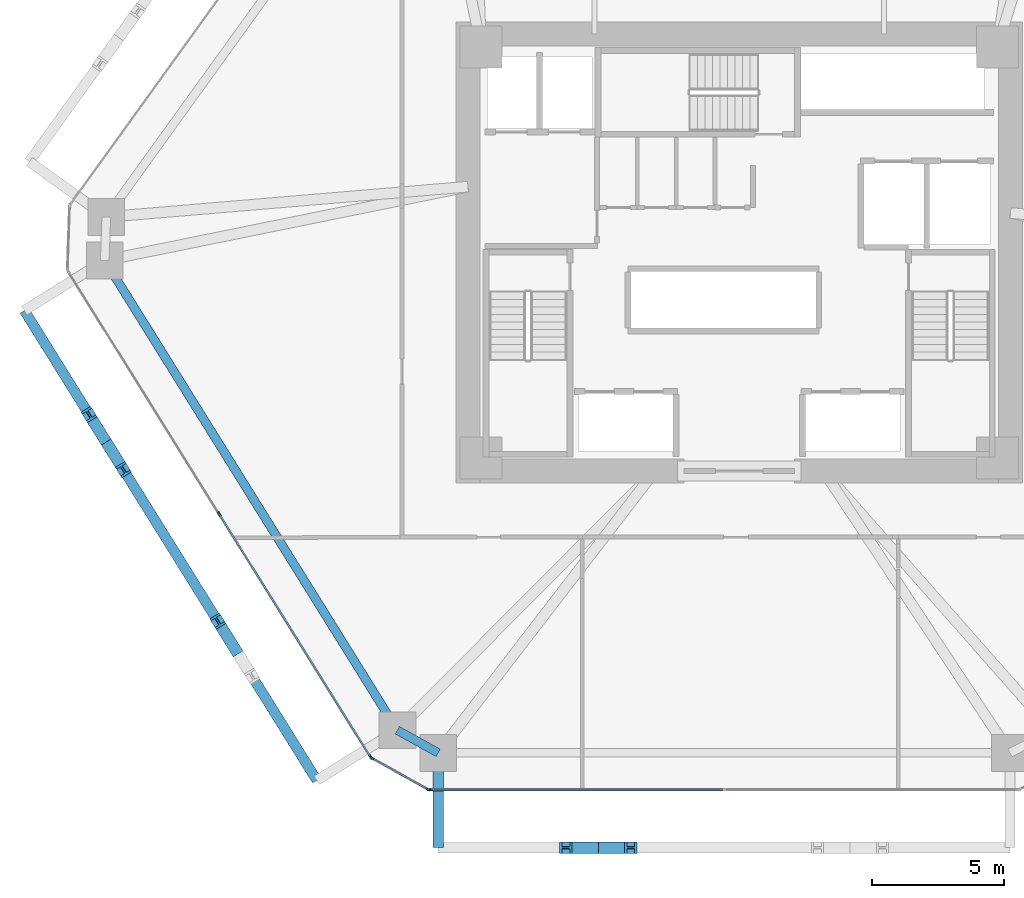
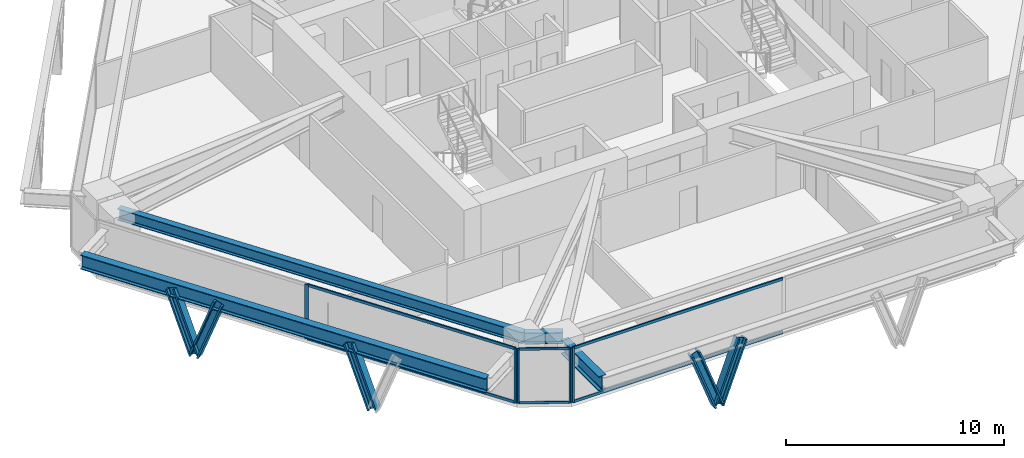
# One storey, part 2 of 14: 16 members, 4 beams, 3 elements without a shape of their own.
"""IFC4 building model written with IfcOpenShell, lengths in metres."""

import ifcopenshell
import ifcopenshell.guid

model = None  # the IFC model being written
_history = None  # IfcOwnerHistory: only IFC2X3 demands one
_inside = {}  # id of a spatial element -> (the spatial element, [elements in it])
_under = {}  # id of a project, library or spatial element -> (it, [spatial elements below it])
_declared = {}  # id of a project -> (the project, [libraries it declares])
_typed = {}  # id of a type object -> (the type object, [elements of that type])
_made_of = {}  # id of a material, layer set ... -> (it, [elements and type objects made of it])


def new_model(schema):
    """Start an empty IFC model of exactly this schema.

    Asked for "IFC4X3", IfcOpenShell would pick the latest addendum, in which some entities
    have other attributes; the version numbers below select the first issue.
    IFC2X3 requires an IfcOwnerHistory on every rooted entity: one is made here for all.
    """
    global model, _history
    if schema == "IFC4X3":
        model = ifcopenshell.file(schema_version=(4, 3, 0, 0))
    else:
        model = ifcopenshell.file(schema=schema)
    _inside.clear()
    _under.clear()
    _declared.clear()
    _typed.clear()
    _made_of.clear()
    _history = None
    if model.schema == "IFC2X3":
        org = make("IfcOrganization", Name="unknown")
        user = make(
            "IfcPersonAndOrganization",
            ThePerson=make("IfcPerson", FamilyName="unknown"),
            TheOrganization=org,
        )
        app = make(
            "IfcApplication",
            ApplicationDeveloper=org,
            Version="unknown",
            ApplicationFullName="unknown",
            ApplicationIdentifier="unknown",
        )
        _history = make(
            "IfcOwnerHistory",
            OwningUser=user,
            OwningApplication=app,
            ChangeAction="ADDED",
            CreationDate=0,
        )
    return model


def make(cls, **values):
    """One entity of the class cls with the attributes given. An attribute that is None is left unset."""
    return model.create_entity(
        cls, **{name: value for name, value in values.items() if value is not None}
    )


def rooted(cls, **values):
    """An entity with a GlobalId (a new one), such as an element, a storey or a relation."""
    return make(cls, GlobalId=ifcopenshell.guid.new(), OwnerHistory=_history, **values)


def si_unit(unit_type, name, prefix=None):
    """IfcSIUnit, for example si_unit("LENGTHUNIT", "METRE", prefix="MILLI")."""
    return make("IfcSIUnit", UnitType=unit_type, Prefix=prefix, Name=name)


def assignment(units):
    """IfcUnitAssignment: the units of a project."""
    return None if units is None else make("IfcUnitAssignment", Units=units)


def point(xyz):
    """IfcCartesianPoint."""
    return None if xyz is None else make("IfcCartesianPoint", Coordinates=xyz)


def direction(xyz):
    """IfcDirection."""
    return None if xyz is None else make("IfcDirection", DirectionRatios=xyz)


def frame(location, z_axis=None, x_axis=None):
    """IfcAxis2Placement3D, a coordinate frame: its origin and axes. An axis left out is left unset."""
    return make(
        "IfcAxis2Placement3D",
        Location=point(location),
        Axis=direction(z_axis),
        RefDirection=direction(x_axis),
    )


def frame_2d(location, x_axis=None):
    """IfcAxis2Placement2D, a coordinate frame in the plane: its origin and x axis."""
    return make(
        "IfcAxis2Placement2D", Location=point(location), RefDirection=direction(x_axis)
    )


def origin():
    """The frame at (0, 0, 0) with its axes left unset."""
    return frame((0.0, 0.0, 0.0))


def origin_2d():
    """The frame at (0, 0) in the plane with its x axis left unset."""
    return frame_2d((0.0, 0.0))


def place(relative_to, where):
    """IfcLocalPlacement: puts the frame where relative to a parent placement (None: the world)."""
    return make(
        "IfcLocalPlacement", PlacementRelTo=relative_to, RelativePlacement=where
    )


def context(
    kind, dimensions, precision=None, world=None, true_north=None, identifier=None
):
    """IfcGeometricRepresentationContext, for example the 3D "Model" context."""
    return make(
        "IfcGeometricRepresentationContext",
        ContextIdentifier=identifier,
        ContextType=kind,
        CoordinateSpaceDimension=dimensions,
        Precision=precision,
        WorldCoordinateSystem=world,
        TrueNorth=true_north,
    )


def subcontext(parent, identifier, kind, view, scale=None):
    """IfcGeometricRepresentationSubContext, for example "Body" below "Model"."""
    return make(
        "IfcGeometricRepresentationSubContext",
        ContextIdentifier=identifier,
        ContextType=kind,
        ParentContext=parent,
        TargetScale=scale,
        TargetView=view,
    )


def project(units=None, contexts=None):
    """IfcProject with its units and contexts."""
    return rooted(
        "IfcProject",
        Name="project",
        RepresentationContexts=contexts,
        UnitsInContext=assignment(units),
    )


def spatial(cls, under=None, at=None, **own):
    """A site, building, storey or space (cls), placed at a placement, below another one or the project."""
    s = rooted(cls, ObjectPlacement=at, **own)
    if under is not None:
        _under.setdefault(under.id(), (under, []))[1].append(s)
    return s


def profile(cls, at=None, kind="AREA", **sizes):
    """A parametric profile (cls). Its sizes go by their IFC names, for example OverallWidth=200.0."""
    return make(cls, ProfileType=kind, Position=at, **sizes)


def rectangle(**sizes):
    """IfcRectangleProfileDef."""
    return profile("IfcRectangleProfileDef", **sizes)


def i_section(**sizes):
    """IfcIShapeProfileDef."""
    return profile("IfcIShapeProfileDef", **sizes)


def extrude(swept, where, along, depth):
    """IfcExtrudedAreaSolid: the profile swept, set in the frame where, extruded along a direction by depth."""
    return make(
        "IfcExtrudedAreaSolid",
        SweptArea=swept,
        Position=where,
        ExtrudedDirection=direction(along),
        Depth=depth,
    )


def shape(context_of_items, identifier, shape_type, items):
    """IfcShapeRepresentation: the items that make up one representation, for example the "Body"."""
    return make(
        "IfcShapeRepresentation",
        ContextOfItems=context_of_items,
        RepresentationIdentifier=identifier,
        RepresentationType=shape_type,
        Items=items,
    )


def source(mapping_origin, context_of_items, identifier, shape_type, items):
    """IfcRepresentationMap: a shape defined once, which mapped items show again and again."""
    return make(
        "IfcRepresentationMap",
        MappingOrigin=mapping_origin,
        MappedRepresentation=shape(context_of_items, identifier, shape_type, items),
    )


def transform(
    local_origin,
    x_axis=None,
    y_axis=None,
    z_axis=None,
    scale=None,
    scale2=None,
    scale3=None,
    uniform=True,
):
    """IfcCartesianTransformationOperator3D, or its non-uniform kind. x_axis, y_axis, z_axis: its Axis1, 2, 3."""
    if uniform:
        return make(
            "IfcCartesianTransformationOperator3D",
            Axis1=direction(x_axis),
            Axis2=direction(y_axis),
            LocalOrigin=point(local_origin),
            Scale=scale,
            Axis3=direction(z_axis),
        )
    return make(
        "IfcCartesianTransformationOperator3DnonUniform",
        Axis1=direction(x_axis),
        Axis2=direction(y_axis),
        LocalOrigin=point(local_origin),
        Scale=scale,
        Axis3=direction(z_axis),
        Scale2=scale2,
        Scale3=scale3,
    )


def mapped(mapping_source, mapping_target):
    """IfcMappedItem: shows the shape of a source again, moved by a transform."""
    return make(
        "IfcMappedItem", MappingSource=mapping_source, MappingTarget=mapping_target
    )


def material(Name=None, Category=None):
    """IfcMaterial."""
    return make("IfcMaterial", Name=Name, Category=Category)


def layer(
    of_material, thickness, ventilated=None, Name=None, Category=None, Priority=None
):
    """IfcMaterialLayer: one layer of a wall or slab, of a material (None: an air gap)."""
    return make(
        "IfcMaterialLayer",
        Material=of_material,
        LayerThickness=thickness,
        IsVentilated=ventilated,
        Name=Name,
        Category=Category,
        Priority=Priority,
    )


def layer_set(layers, Name=None):
    """IfcMaterialLayerSet."""
    return make("IfcMaterialLayerSet", MaterialLayers=layers, LayerSetName=Name)


def material_profile(
    of_material, cross_section, Name=None, Category=None, Priority=None
):
    """IfcMaterialProfile: a cross section and its material."""
    return make(
        "IfcMaterialProfile",
        Name=Name,
        Material=of_material,
        Profile=cross_section,
        Priority=Priority,
        Category=Category,
    )


def profile_set(profiles, Name=None, composite=None):
    """IfcMaterialProfileSet."""
    return make(
        "IfcMaterialProfileSet",
        Name=Name,
        MaterialProfiles=profiles,
        CompositeProfile=composite,
    )


def made_of(thing, what):
    """Note that an element or type object is made of a material, layer set ...; save() writes the relation."""
    if what is not None:
        _made_of.setdefault(what.id(), (what, []))[1].append(thing)
    return thing


def type_object(cls, material=None, **own):
    """A type object (cls), such as IfcWallType, which elements share."""
    return made_of(rooted(cls, **own), material)


def type_shapes(of_type, sources):
    """Give a type object the sources (RepresentationMaps) that its elements show as mapped items."""
    of_type.RepresentationMaps = sources


def element(
    cls,
    number,
    at=None,
    inside=None,
    cuts=None,
    type_object=None,
    material=None,
    context=None,
    identifier="Body",
    shape_type=None,
    held_by="IfcProductDefinitionShape",
    body=None,
    shapes=None,
    **own,
):
    """One element of the class cls, such as IfcWall. Its Tag is "e" and its number.

    at: its placement. inside: the storey or other place that contains it. cuts: it is an
    opening in that element (IfcRelVoidsElement). A single representation is given by context,
    identifier, shape_type and body (its items); several are given by shapes. held_by: the class
    of the entity that holds the representations. save() writes the other relations.
    """
    e = rooted(cls, Tag="e%d" % number, ObjectPlacement=at, **own)
    if body is not None:
        shapes = [shape(context, identifier, shape_type, body)]
    if shapes is not None:
        e.Representation = make(held_by, Representations=shapes)
    if inside is not None:
        _inside.setdefault(inside.id(), (inside, []))[1].append(e)
    if cuts is not None:
        rooted(
            "IfcRelVoidsElement", RelatingBuildingElement=cuts, RelatedOpeningElement=e
        )
    if type_object is not None:
        _typed.setdefault(type_object.id(), (type_object, []))[1].append(e)
    return made_of(e, material)


def aggregate(whole, parts):
    """IfcRelAggregates: a whole, such as a stair, and the parts it consists of."""
    return rooted("IfcRelAggregates", RelatingObject=whole, RelatedObjects=parts)


def save(model, path):
    """Write the relations noted so far, then the file.

    IfcRelAggregates (storeys below a building ...), IfcRelContainedInSpatialStructure (elements
    in a storey), IfcRelDefinesByType, IfcRelAssociatesMaterial and IfcRelDeclares: one each for
    every whole, place, type object, material and project.
    """
    for whole, parts in _under.values():
        aggregate(whole, parts)
    for where, things in _inside.values():
        rooted(
            "IfcRelContainedInSpatialStructure",
            RelatedElements=things,
            RelatingStructure=where,
        )
    for kind, things in _typed.values():
        rooted("IfcRelDefinesByType", RelatedObjects=things, RelatingType=kind)
    for what, things in _made_of.values():
        rooted("IfcRelAssociatesMaterial", RelatedObjects=things, RelatingMaterial=what)
    for by, libraries in _declared.values():
        rooted("IfcRelDeclares", RelatingContext=by, RelatedDefinitions=libraries)
    model.write(path)


model = new_model("IFC4")

# Units and contexts
model_context = context("Model", 3, precision=1e-05, world=origin(), true_north=direction((0.0, 1.0)))
body_context = subcontext(model_context, "Body", "Model", "MODEL_VIEW")
ifc_project = project(units=[si_unit("LENGTHUNIT", "METRE"), si_unit("AREAUNIT", "SQUARE_METRE"), si_unit("VOLUMEUNIT", "CUBIC_METRE"), si_unit("PLANEANGLEUNIT", "RADIAN"), si_unit("MASSUNIT", "GRAM", prefix="KILO")], contexts=[model_context])

# Site, building, storey
site_placement = place(None, origin())
site = spatial("IfcSite", under=ifc_project, at=site_placement, CompositionType="ELEMENT")
building_placement = place(site_placement, origin())
building = spatial("IfcBuilding", under=site, at=building_placement, Name="Durnholm Broadcast Tower", CompositionType="ELEMENT")
storey_placement = place(building_placement, frame((0.0, 0.0, 68.699951171875)))
storey = spatial("IfcBuildingStorey", under=building, at=storey_placement, Name="L17", CompositionType="ELEMENT", Elevation=68.699951171875)

# Beams
ifc_material_1 = material(Name="Steel ASTM A992 Grade 50", Category="steel")
ifc_material_profile_1 = material_profile(ifc_material_1, i_section(OverallWidth=0.3291015625, OverallDepth=0.635009765625, WebThickness=0.017822265625, FlangeThickness=0.031005859375, FilletRadius=0.02783203125, at=origin_2d()), Name="W24X162")
ifc_profile_set_1 = profile_set([ifc_material_profile_1], Name="Steel ASTM A992 Grade 50")
beam_type_1 = type_object("IfcBeamType", Name="STL-SP-W24X162", PredefinedType="SPANDREL", material=ifc_profile_set_1)
shared_shape_1 = source(origin(), body_context, "Body", "SweptSolid", [
    extrude(i_section(OverallWidth=0.3291015625, OverallDepth=0.635009765625, WebThickness=0.017822265625, FlangeThickness=0.031005859375, FilletRadius=0.02783203125, at=origin_2d()), origin(), (0.0, 0.0, 1.0), 21.014404296875),
])
beam_1_placement = place(storey_placement, frame((-12.982666015625, -18.138427734375, 2.7275390625), z_axis=(-0.528595731543, 0.848873696491, 0.0), x_axis=(-0.848873696491, -0.528595731543, 0.0)))
element("IfcBeam", 1, at=beam_1_placement, inside=storey, type_object=beam_type_1, Name="L17 perimeter spandrel girder 01", PredefinedType="SPANDREL", context=body_context, shape_type="MappedRepresentation", body=[
    mapped(shared_shape_1, transform((0.0, 0.0, 0.0), x_axis=(1.0, 0.0, 0.0), y_axis=(0.0, 1.0, 0.0), z_axis=(0.0, 0.0, 1.0), scale=1.0)),
])
shared_shape_2 = source(origin(), body_context, "Body", "SweptSolid", [
    extrude(i_section(OverallWidth=0.3291015625, OverallDepth=0.635009765625, WebThickness=0.017822265625, FlangeThickness=0.031005859375, FilletRadius=0.02783203125, at=origin_2d()), origin(), (0.0, 0.0, 1.0), 1.774658203125),
])
type_shapes(beam_type_1, [shared_shape_1, shared_shape_2])
beam_2_placement = place(storey_placement, frame((-11.43115234375, -19.0, 2.7275390625), z_axis=(-0.874248107979, 0.485479397806, 0.0), x_axis=(-0.485479397806, -0.874248107979, 0.0)))
element("IfcBeam", 2, at=beam_2_placement, inside=storey, type_object=beam_type_1, Name="L17 perimeter spandrel girder 12", PredefinedType="SPANDREL", context=body_context, shape_type="MappedRepresentation", body=[
    mapped(shared_shape_2, transform((0.0, 0.0, 0.0), x_axis=(1.0, 0.0, 0.0), y_axis=(0.0, 1.0, 0.0), z_axis=(0.0, 0.0, 1.0), scale=1.0)),
])
ifc_material_profile_2 = material_profile(ifc_material_1, i_section(OverallWidth=0.385009765625, OverallDepth=0.802978515625, WebThickness=0.023681640625, FlangeThickness=0.0419921875, FilletRadius=0.032958984375, at=origin_2d()), Name="W30X261")
ifc_profile_set_2 = profile_set([ifc_material_profile_2], Name="Steel ASTM A992 Grade 50")
beam_type_2 = type_object("IfcBeamType", Name="BM-EXO-TIE", PredefinedType="USERDEFINED", material=ifc_profile_set_2)
shared_shape_3 = source(origin(), body_context, "Body", "SweptSolid", [
    extrude(i_section(OverallWidth=0.385009765625, OverallDepth=0.802978515625, WebThickness=0.023681640625, FlangeThickness=0.0419921875, FilletRadius=0.032958984375, at=origin_2d()), origin(), (0.0, 0.0, 1.0), 3.4560546875),
])
beam_3_placement = place(storey_placement, frame((-11.43115234375, -19.14404296875, 2.30859375), z_axis=(0.0, -1.0, 0.0), x_axis=(1.0, 0.0, 0.0)))
element("IfcBeam", 3, at=beam_3_placement, inside=storey, type_object=beam_type_2, Name="L17 exoskeleton stand-off tie bracket F1.1", ObjectType="GIRDER", PredefinedType="USERDEFINED", context=body_context, shape_type="MappedRepresentation", body=[
    mapped(shared_shape_3, transform((0.0, 0.0, 0.0), x_axis=(1.0, 0.0, 0.0), y_axis=(0.0, 1.0, 0.0), z_axis=(0.0, 0.0, 1.0), scale=1.0)),
])
shared_shape_4 = source(origin(), body_context, "Body", "SweptSolid", [
    extrude(i_section(OverallWidth=0.385009765625, OverallDepth=0.802978515625, WebThickness=0.023681640625, FlangeThickness=0.0419921875, FilletRadius=0.032958984375, at=origin_2d()), origin(), (0.0, 0.0, 1.0), 21.0146484375),
])
type_shapes(beam_type_2, [shared_shape_3, shared_shape_4])
beam_4_placement = place(storey_placement, frame((-27.146728515625, -2.20263671875, 2.30859375), z_axis=(0.528590518575, -0.848876942597, 0.0), x_axis=(0.848876942597, 0.528590518575, 0.0)))
element("IfcBeam", 4, at=beam_4_placement, inside=storey, type_object=beam_type_2, Name="L17 exoskeleton collector spandrel F6", PredefinedType="SPANDREL", context=body_context, shape_type="MappedRepresentation", body=[
    mapped(shared_shape_4, transform((0.0, 0.0, 0.0), x_axis=(1.0, 0.0, 0.0), y_axis=(0.0, 1.0, 0.0), z_axis=(0.0, 0.0, 1.0), scale=1.0)),
])

# Members
ifc_material_2 = material(Name="Steel ASTM A913 Grade 65", Category="steel")
ifc_material_profile_3 = material_profile(ifc_material_2, i_section(OverallWidth=0.43212890625, OverallDepth=0.497802734375, WebThickness=0.0556640625, FlangeThickness=0.0888671875, FilletRadius=0.030517578125, at=origin_2d()), Name="W14X500")
ifc_profile_set_3 = profile_set([ifc_material_profile_3], Name="Steel ASTM A913 Grade 65")
member_type_1 = type_object("IfcMemberType", Name="STL-DG-W14X500", PredefinedType="BRACE", material=ifc_profile_set_3)
shared_shape_5 = source(origin(), body_context, "Body", "SweptSolid", [
    extrude(i_section(OverallWidth=0.43212890625, OverallDepth=0.497802734375, WebThickness=0.0556640625, FlangeThickness=0.0888671875, FilletRadius=0.030517578125, at=origin_2d()), origin(), (0.0, 0.0, 1.0), 3.523193359375),
])
type_shapes(member_type_1, [shared_shape_5])
for number, where, z_axis, x_axis, name in (
    (5, (-5.351318359375, -22.60009765625, -0.991455078125), (-0.350219588454, 0.0, 0.936667625075), (0.0, -1.0, 0.0), "L17 stand-off diagrid brace F1.D1.1"),
    (6, (-5.351318359375, -22.60009765625, -0.991455078125), (0.350219588454, 0.0, 0.936667625075), (0.0, 1.0, 0.0), "L17 stand-off diagrid brace F1.D1.2"),
    (7, (-24.036376953125, -7.197509765625, -0.991455078125), (-0.185157304084, 0.297277258428, 0.936665897941), (-0.848819847179, -0.528682198523, 0.0), "L17 stand-off diagrid brace F6.D1.1"),
    (8, (-24.036376953125, -7.197509765625, -0.991455078125), (0.185090383068, -0.297281072018, 0.936677913861), (0.848908635391, 0.528539618911, 0.0), "L17 stand-off diagrid brace F6.D1.2"),
    (9, (-19.14892578125, -15.04638671875, -0.991455078125), (-0.185090383068, 0.297281072018, 0.936677913861), (-0.848908635391, -0.528539618911, 0.0), "L17 stand-off diagrid brace F6.D2.1"),
):
    element("IfcMember", number, at=place(storey_placement, frame(where, z_axis=z_axis, x_axis=x_axis)), inside=storey, type_object=member_type_1, Name=name, PredefinedType="BRACE", context=body_context, shape_type="MappedRepresentation", body=[
        mapped(shared_shape_5, transform((0.0, 0.0, 0.0), x_axis=(1.0, 0.0, 0.0), y_axis=(0.0, 1.0, 0.0), z_axis=(0.0, 0.0, 1.0), scale=1.0)),
    ])

# Curtain wall, members
ifc_material_3 = material(Name="Aluminium and Solar Control IGU", Category="aluminium")
ifc_layer_1 = layer(ifc_material_3, 0.1650390625)
ifc_layer_set_1 = layer_set([ifc_layer_1], Name="Aluminium and Solar Control IGU")
curtain_wall_type_1 = type_object("IfcCurtainWallType", Name="CW-SYS-5", PredefinedType="NOTDEFINED", material=ifc_layer_set_1)
curtain_wall_1_placement = place(storey_placement, origin())
curtain_wall_1 = element("IfcCurtainWall", 10, at=curtain_wall_1_placement, inside=storey, type_object=curtain_wall_type_1, Name="L17 curtain wall CW-CORNER CW-L17-CRN-11", PredefinedType="NOTDEFINED")
ifc_material_4 = material(Name="Aluminium 6063-T6", Category="aluminium")
ifc_material_profile_4 = material_profile(ifc_material_4, rectangle(XDim=0.06494140625, YDim=0.1650390625, at=origin_2d()), Name="CWM65X165")
ifc_profile_set_4 = profile_set([ifc_material_profile_4], Name="Aluminium 6063-T6")
member_type_2 = type_object("IfcMemberType", Name="CW-SYS-5-MUL", PredefinedType="MULLION", material=ifc_profile_set_4)
shared_shape_6 = source(origin(), body_context, "Body", "SweptSolid", [
    extrude(rectangle(XDim=0.06494140625, YDim=0.1650390625, at=origin_2d()), origin(), (0.0, 0.0, 1.0), 3.06005859375),
])
type_shapes(member_type_2, [shared_shape_6])
member_1_placement = place(storey_placement, frame((-11.822265625, -20.38427734375, 0.0), z_axis=(0.0, 0.0, 1.0), x_axis=(-0.485483299359, -0.874245941394, 0.0)))
member_1 = element("IfcMember", 11, at=member_1_placement, type_object=member_type_2, Name="CW-CORNER mullion 1", PredefinedType="MULLION", context=body_context, shape_type="MappedRepresentation", body=[
    mapped(shared_shape_6, transform((0.0, 0.0, 0.0), x_axis=(1.0, 0.0, 0.0), y_axis=(0.0, 1.0, 0.0), z_axis=(0.0, 0.0, 1.0), scale=1.0)),
])
member_2_placement = place(storey_placement, frame((-13.950927734375, -19.2021484375, 0.0), z_axis=(0.0, 0.0, 1.0), x_axis=(-0.485483299359, -0.874245941394, 0.0)))
member_2 = element("IfcMember", 12, at=member_2_placement, type_object=member_type_2, Name="CW-CORNER mullion 2", PredefinedType="MULLION", context=body_context, shape_type="MappedRepresentation", body=[
    mapped(shared_shape_6, transform((0.0, 0.0, 0.0), x_axis=(1.0, 0.0, 0.0), y_axis=(0.0, 1.0, 0.0), z_axis=(0.0, 0.0, 1.0), scale=1.0)),
])
ifc_material_profile_5 = material_profile(ifc_material_4, rectangle(XDim=0.06494140625, YDim=0.1298828125, at=origin_2d()), Name="CWT65X130")
ifc_profile_set_5 = profile_set([ifc_material_profile_5], Name="Aluminium 6063-T6")
member_type_3 = type_object("IfcMemberType", Name="CW-SYS-5-TRN", PredefinedType="USERDEFINED", material=ifc_profile_set_5)
shared_shape_7 = source(origin(), body_context, "Body", "SweptSolid", [
    extrude(rectangle(XDim=0.06494140625, YDim=0.1298828125, at=origin_2d()), origin(), (0.0, 0.0, 1.0), 2.3701171875),
])
type_shapes(member_type_3, [shared_shape_7])
member_3_placement = place(storey_placement, frame((-11.8505859375, -20.368408203125, 0.032470703125), z_axis=(-0.874244723151, 0.485485493132, 0.0), x_axis=(-0.485485493132, -0.874244723151, 0.0)))
member_3 = element("IfcMember", 13, at=member_3_placement, type_object=member_type_3, Name="CW-CORNER transom 1.1", ObjectType="TRANSOM", PredefinedType="USERDEFINED", context=body_context, shape_type="MappedRepresentation", body=[
    mapped(shared_shape_7, transform((0.0, 0.0, 0.0), x_axis=(1.0, 0.0, 0.0), y_axis=(0.0, 1.0, 0.0), z_axis=(0.0, 0.0, 1.0), scale=1.0)),
])
member_4_placement = place(storey_placement, frame((-11.8505859375, -20.368408203125, 3.027587890625), z_axis=(-0.874244723151, 0.485485493132, 0.0), x_axis=(-0.485485493132, -0.874244723151, 0.0)))
member_4 = element("IfcMember", 14, at=member_4_placement, type_object=member_type_3, Name="CW-CORNER transom 1.2", ObjectType="TRANSOM", PredefinedType="USERDEFINED", context=body_context, shape_type="MappedRepresentation", body=[
    mapped(shared_shape_7, transform((0.0, 0.0, 0.0), x_axis=(1.0, 0.0, 0.0), y_axis=(0.0, 1.0, 0.0), z_axis=(0.0, 0.0, 1.0), scale=1.0)),
])
aggregate(curtain_wall_1, [member_1, member_2, member_3, member_4])

# Curtain wall, member
ifc_layer_2 = layer(ifc_material_3, 0.18994140625)
ifc_layer_set_2 = layer_set([ifc_layer_2], Name="Aluminium and Solar Control IGU")
curtain_wall_type_2 = type_object("IfcCurtainWallType", Name="CW-SYS-3", PredefinedType="NOTDEFINED", material=ifc_layer_set_2)
curtain_wall_2_placement = place(storey_placement, origin())
curtain_wall_2 = element("IfcCurtainWall", 15, at=curtain_wall_2_placement, inside=storey, type_object=curtain_wall_type_2, Name="L17 curtain wall CW-Z12-VIS CW-L17-F10", PredefinedType="NOTDEFINED")
ifc_material_profile_6 = material_profile(ifc_material_4, rectangle(XDim=0.070068359375, YDim=0.18994140625, at=origin_2d()), Name="CWM70X190")
ifc_profile_set_6 = profile_set([ifc_material_profile_6], Name="Aluminium 6063-T6")
member_type_4 = type_object("IfcMemberType", Name="CW-SYS-3-MUL", PredefinedType="MULLION", material=ifc_profile_set_6)
shared_shape_8 = source(origin(), body_context, "Body", "SweptSolid", [
    extrude(rectangle(XDim=0.070068359375, YDim=0.18994140625, at=origin_2d()), origin(), (0.0, 0.0, 1.0), 3.06005859375),
])
type_shapes(member_type_4, [shared_shape_8])
member_5_placement = place(storey_placement, frame((-11.7587890625, -20.39990234375, 0.0), z_axis=(0.0, 0.0, 1.0), x_axis=(0.0, -1.0, 0.0)))
member_5 = element("IfcMember", 16, at=member_5_placement, type_object=member_type_4, Name="CW-Z12-VIS mullion 3", PredefinedType="MULLION", context=body_context, shape_type="MappedRepresentation", body=[
    mapped(shared_shape_8, transform((0.0, 0.0, 0.0), x_axis=(1.0, 0.0, 0.0), y_axis=(0.0, 1.0, 0.0), z_axis=(0.0, 0.0, 1.0), scale=1.0)),
])

# Curtain wall, members
curtain_wall_3_placement = place(storey_placement, origin())
curtain_wall_3 = element("IfcCurtainWall", 17, at=curtain_wall_3_placement, inside=storey, type_object=curtain_wall_type_2, Name="L17 curtain wall CW-Z12-VIS CW-L17-F12", PredefinedType="NOTDEFINED")
member_6_placement = place(storey_placement, frame((-13.997802734375, -19.156494140625, 0.0), z_axis=(0.0, 0.0, 1.0), x_axis=(-0.848875785503, -0.528592376777, 0.0)))
member_6 = element("IfcMember", 18, at=member_6_placement, type_object=member_type_4, Name="CW-Z12-VIS mullion 1", PredefinedType="MULLION", context=body_context, shape_type="MappedRepresentation", body=[
    mapped(shared_shape_8, transform((0.0, 0.0, 0.0), x_axis=(1.0, 0.0, 0.0), y_axis=(0.0, 1.0, 0.0), z_axis=(0.0, 0.0, 1.0), scale=1.0)),
])
member_7_placement = place(storey_placement, frame((-19.741943359375, -9.93212890625, 0.0), z_axis=(0.0, 0.0, 1.0), x_axis=(-0.848875785503, -0.528592376777, 0.0)))
member_7 = element("IfcMember", 19, at=member_7_placement, type_object=member_type_4, Name="CW-Z12-VIS mullion 2", PredefinedType="MULLION", context=body_context, shape_type="MappedRepresentation", body=[
    mapped(shared_shape_8, transform((0.0, 0.0, 0.0), x_axis=(1.0, 0.0, 0.0), y_axis=(0.0, 1.0, 0.0), z_axis=(0.0, 0.0, 1.0), scale=1.0)),
])
ifc_material_profile_7 = material_profile(ifc_material_4, rectangle(XDim=0.070068359375, YDim=0.14990234375, at=origin_2d()), Name="CWT70X150")
ifc_profile_set_7 = profile_set([ifc_material_profile_7], Name="Aluminium 6063-T6")
member_type_5 = type_object("IfcMemberType", Name="CW-SYS-3-TRN", PredefinedType="USERDEFINED", material=ifc_profile_set_7)
shared_shape_9 = source(origin(), body_context, "Body", "SweptSolid", [
    extrude(rectangle(XDim=0.070068359375, YDim=0.14990234375, at=origin_2d()), origin(), (0.0, 0.0, 1.0), 10.796630859375),
])
member_8_placement = place(storey_placement, frame((-14.016357421875, -19.126953125, 0.03515625), z_axis=(-0.528591657678, 0.848876233283, 0.0), x_axis=(-0.848876233283, -0.528591657678, 0.0)))
member_8 = element("IfcMember", 20, at=member_8_placement, type_object=member_type_5, Name="CW-Z12-VIS transom 1.1", ObjectType="TRANSOM", PredefinedType="USERDEFINED", context=body_context, shape_type="MappedRepresentation", body=[
    mapped(shared_shape_9, transform((0.0, 0.0, 0.0), x_axis=(1.0, 0.0, 0.0), y_axis=(0.0, 1.0, 0.0), z_axis=(0.0, 0.0, 1.0), scale=1.0)),
])
member_9_placement = place(storey_placement, frame((-14.016357421875, -19.126953125, 3.025146484375), z_axis=(-0.528591657678, 0.848876233283, 0.0), x_axis=(-0.848876233283, -0.528591657678, 0.0)))
member_9 = element("IfcMember", 21, at=member_9_placement, type_object=member_type_5, Name="CW-Z12-VIS transom 1.2", ObjectType="TRANSOM", PredefinedType="USERDEFINED", context=body_context, shape_type="MappedRepresentation", body=[
    mapped(shared_shape_9, transform((0.0, 0.0, 0.0), x_axis=(1.0, 0.0, 0.0), y_axis=(0.0, 1.0, 0.0), z_axis=(0.0, 0.0, 1.0), scale=1.0)),
])
aggregate(curtain_wall_3, [member_6, member_7, member_8, member_9])

# Member
shared_shape_10 = source(origin(), body_context, "Body", "SweptSolid", [
    extrude(rectangle(XDim=0.070068359375, YDim=0.14990234375, at=origin_2d()), origin(), (0.0, 0.0, 1.0), 11.10205078125),
])
type_shapes(member_type_5, [shared_shape_9, shared_shape_10])
member_10_placement = place(storey_placement, frame((-0.621826171875, -20.39990234375, 0.03515625), z_axis=(-1.0, 0.0, 0.0), x_axis=(0.0, -1.0, 0.0)))
member_10 = element("IfcMember", 22, at=member_10_placement, type_object=member_type_5, Name="CW-Z12-VIS transom 2.1", ObjectType="TRANSOM", PredefinedType="USERDEFINED", context=body_context, shape_type="MappedRepresentation", body=[
    mapped(shared_shape_10, transform((0.0, 0.0, 0.0), x_axis=(1.0, 0.0, 0.0), y_axis=(0.0, 1.0, 0.0), z_axis=(0.0, 0.0, 1.0), scale=1.0)),
])

member_11_placement = place(storey_placement, frame((-0.621826171875, -20.39990234375, 3.025146484375), z_axis=(-1.0, 0.0, 0.0), x_axis=(0.0, -1.0, 0.0)))
member_11 = element("IfcMember", 23, at=member_11_placement, type_object=member_type_5, Name="CW-Z12-VIS transom 2.2", ObjectType="TRANSOM", PredefinedType="USERDEFINED", context=body_context, shape_type="MappedRepresentation", body=[
    mapped(shared_shape_10, transform((0.0, 0.0, 0.0), x_axis=(1.0, 0.0, 0.0), y_axis=(0.0, 1.0, 0.0), z_axis=(0.0, 0.0, 1.0), scale=1.0)),
])

aggregate(curtain_wall_2, [member_5, member_10, member_11])

save(model, "model.ifc")
